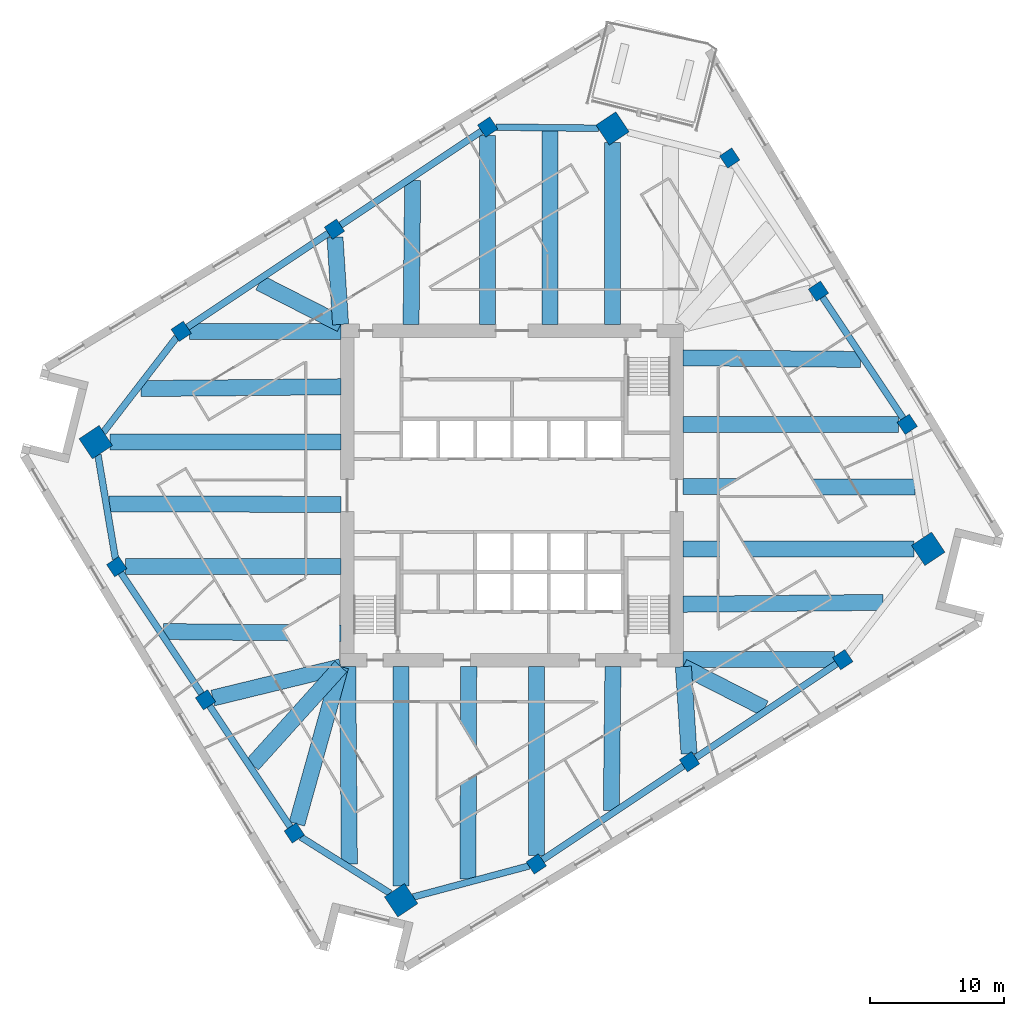
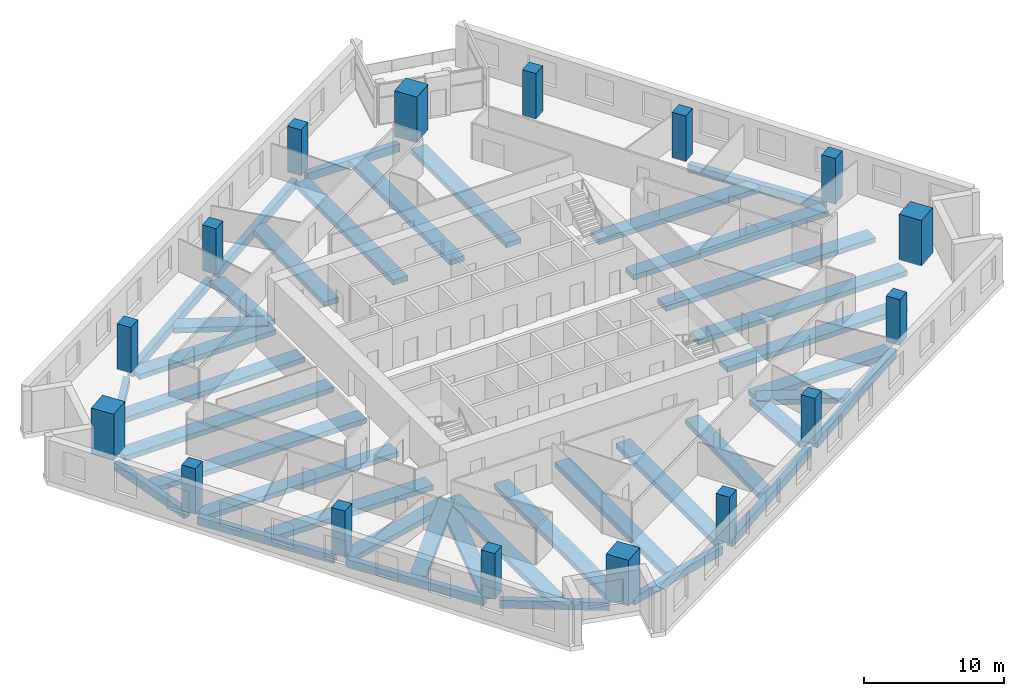
# One storey, part 1 of 14: 40 beams, 16 columns.
"""IFC4 building model written with IfcOpenShell, lengths in metres."""

from ifc_helpers import new_model, si_unit, direction, frame, origin, origin_2d, place, context, subcontext, project, spatial, rectangle, extrude, material, material_profile, profile_set, type_object, element, save


model = new_model("IFC4")

# Units and contexts
model_context = context("Model", 3, precision=1e-05, world=origin(), true_north=direction((0.0, 1.0)))
body_context = subcontext(model_context, "Body", "Model", "MODEL_VIEW")
ifc_project = project(units=[si_unit("LENGTHUNIT", "METRE"), si_unit("AREAUNIT", "SQUARE_METRE"), si_unit("VOLUMEUNIT", "CUBIC_METRE"), si_unit("PLANEANGLEUNIT", "RADIAN"), si_unit("MASSUNIT", "GRAM", prefix="KILO")], contexts=[model_context])

# Site, building, storey
site_placement = place(None, origin())
site = spatial("IfcSite", under=ifc_project, at=site_placement, CompositionType="ELEMENT")
building_placement = place(site_placement, origin())
building = spatial("IfcBuilding", under=site, at=building_placement, Name="Dilmun Exchange Tower", CompositionType="ELEMENT")
storey_placement = place(building_placement, frame((0.0, 0.0, 151.699951171875)))
storey = spatial("IfcBuildingStorey", under=building, at=storey_placement, Name="L35", CompositionType="ELEMENT", Elevation=151.699951171875)

# Columns
ifc_material_1 = material(Name="Concrete C60/75", Category="concrete")
ifc_material_profile_1 = material_profile(ifc_material_1, rectangle(XDim=1.800048828125, YDim=1.800048828125, at=origin_2d()), Name="1800 x 1800")
ifc_profile_set_1 = profile_set([ifc_material_profile_1], Name="Concrete C60/75")
column_type_1 = type_object("IfcColumnType", Name="RC mega column 1800 x 1800 C60/75", PredefinedType="COLUMN", material=ifc_profile_set_1)
for number, where, z_axis, x_axis, name in (
    (1, (7.506103515625, 27.409912109375, 0.0), (0.0, 0.0, 1.0), (0.832028680356, 0.55473261583, 0.0), "Mega column M1"),
    (2, (-31.0791015625, 3.98193359375, 0.0), (0.0, 0.0, 1.0), (0.832028680356, 0.55473261583, 0.0), "Mega column M2"),
    (3, (-8.27587890625, -30.220947265625, 0.0), (0.0, 0.0, 1.0), (0.832028680356, 0.55473261583, 0.0), "Mega column M3"),
    (4, (31.0791015625, -3.98193359375, 0.0), (0.0, 0.0, 1.0), (0.832028680356, 0.55473261583, 0.0), "Mega column M4"),
):
    element("IfcColumn", number, at=place(storey_placement, frame(where, z_axis=z_axis, x_axis=x_axis)), inside=storey, type_object=column_type_1, Name=name, PredefinedType="COLUMN", context=body_context, shape_type="SweptSolid", body=[
        extrude(rectangle(XDim=1.800048828125, YDim=1.800048828125, at=origin_2d()), origin(), (0.0, 0.0, 1.0), 4.0),
    ])
ifc_material_profile_2 = material_profile(ifc_material_1, rectangle(XDim=1.10009765625, YDim=1.10009765625, at=origin_2d()), Name="1100 x 1100")
ifc_profile_set_2 = profile_set([ifc_material_profile_2], Name="Concrete C60/75")
column_type_2 = type_object("IfcColumnType", Name="RC ring column 1100 x 1100 C60/75", PredefinedType="COLUMN", material=ifc_profile_set_2)
for number, where, z_axis, x_axis, name in (
    (5, (-1.818115234375, 27.512939453125, 0.0), (0.0, 0.0, 1.0), (0.832028680356, 0.55473261583, 0.0), "Ring column R01"),
    (6, (-13.258056640625, 19.885009765625, 0.0), (0.0, 0.0, 1.0), (0.832028680356, 0.55473261583, 0.0), "Ring column R02"),
    (7, (-24.698974609375, 12.258056640625, 0.0), (0.0, 0.0, 1.0), (0.832028680356, 0.55473261583, 0.0), "Ring column R03"),
    (8, (-29.510009765625, -5.31201171875, 0.0), (0.0, 0.0, 1.0), (0.832028680356, 0.55473261583, 0.0), "Ring column R04"),
    (9, (-22.881103515625, -15.2548828125, 0.0), (0.0, 0.0, 1.0), (0.832028680356, 0.55473261583, 0.0), "Ring column R05"),
    (10, (-16.251953125, -25.197998046875, 0.0), (0.0, 0.0, 1.0), (0.832028680356, 0.55473261583, 0.0), "Ring column R06"),
    (11, (1.818115234375, -27.512939453125, 0.0), (0.0, 0.0, 1.0), (0.832028680356, 0.55473261583, 0.0), "Ring column R07"),
    (12, (13.258056640625, -19.885009765625, 0.0), (0.0, 0.0, 1.0), (0.832028680356, 0.55473261583, 0.0), "Ring column R08"),
    (13, (24.698974609375, -12.258056640625, 0.0), (0.0, 0.0, 1.0), (0.832028680356, 0.55473261583, 0.0), "Ring column R09"),
    (14, (29.510009765625, 5.31201171875, 0.0), (0.0, 0.0, 1.0), (0.832028680356, 0.55473261583, 0.0), "Ring column R10"),
    (15, (22.881103515625, 15.2548828125, 0.0), (0.0, 0.0, 1.0), (0.832028680356, 0.55473261583, 0.0), "Ring column R11"),
    (16, (16.251953125, 25.197998046875, 0.0), (0.0, 0.0, 1.0), (0.832028680356, 0.55473261583, 0.0), "Ring column R12"),
):
    element("IfcColumn", number, at=place(storey_placement, frame(where, z_axis=z_axis, x_axis=x_axis)), inside=storey, type_object=column_type_2, Name=name, PredefinedType="COLUMN", context=body_context, shape_type="SweptSolid", body=[
        extrude(rectangle(XDim=1.10009765625, YDim=1.10009765625, at=origin_2d()), origin(), (0.0, 0.0, 1.0), 4.0),
    ])

# Beams
ifc_material_2 = material(Name="Concrete C40/50", Category="concrete")
ifc_material_profile_3 = material_profile(ifc_material_2, rectangle(XDim=1.199951171875, YDim=0.449951171875, at=origin_2d()), Name="1200 x 450")
ifc_profile_set_3 = profile_set([ifc_material_profile_3], Name="Concrete C40/50")
beam_type_1 = type_object("IfcBeamType", Name="RC band beam 1200 x 450 C40/50", PredefinedType="BEAM", material=ifc_profile_set_3)
beam_1_placement = place(storey_placement, frame((7.506103515625, 26.355224609375, -0.724853515625), z_axis=(0.0, -1.0, 0.0), x_axis=(1.0, 0.0, 0.0)))
element("IfcBeam", 17, at=beam_1_placement, inside=storey, type_object=beam_type_1, Name="Band beam 1", PredefinedType="BEAM", context=body_context, shape_type="SweptSolid", body=[
    extrude(rectangle(XDim=1.199951171875, YDim=0.449951171875, at=origin_2d()), origin(), (0.0, 0.0, 1.0), 13.582275390625),
])
beam_2_placement = place(storey_placement, frame((-1.818115234375, 26.87890625, -0.724853515625), z_axis=(0.0, -1.0, 0.0), x_axis=(1.0, 0.0, 0.0)))
element("IfcBeam", 18, at=beam_2_placement, inside=storey, type_object=beam_type_1, Name="Band beam 2", PredefinedType="BEAM", context=body_context, shape_type="SweptSolid", body=[
    extrude(rectangle(XDim=1.199951171875, YDim=0.449951171875, at=origin_2d()), origin(), (0.0, 0.0, 1.0), 14.10595703125),
])
beam_3_placement = place(storey_placement, frame((-13.21875, 19.2783203125, -0.724853515625), z_axis=(0.064492965824, -0.997918161654, 0.0), x_axis=(0.997918161654, 0.064492965824, 0.0)))
element("IfcBeam", 19, at=beam_3_placement, inside=storey, type_object=beam_type_1, Name="Band beam 3", PredefinedType="BEAM", context=body_context, shape_type="SweptSolid", body=[
    extrude(rectangle(XDim=1.199951171875, YDim=0.449951171875, at=origin_2d()), origin(), (0.0, 0.0, 1.0), 6.518798828125),
])
beam_4_placement = place(storey_placement, frame((-24.06494140625, 12.258056640625, -0.724853515625), z_axis=(1.0, 0.0, 0.0), x_axis=(0.0, 1.0, 0.0)))
element("IfcBeam", 20, at=beam_4_placement, inside=storey, type_object=beam_type_1, Name="Band beam 4", PredefinedType="BEAM", context=body_context, shape_type="SweptSolid", body=[
    extrude(rectangle(XDim=1.199951171875, YDim=0.449951171875, at=origin_2d()), origin(), (0.0, 0.0, 1.0), 11.2919921875),
])
beam_5_placement = place(storey_placement, frame((-30.0244140625, 3.98193359375, -0.724853515625), z_axis=(1.0, 0.0, 0.0), x_axis=(0.0, 1.0, 0.0)))
element("IfcBeam", 21, at=beam_5_placement, inside=storey, type_object=beam_type_1, Name="Band beam 5", PredefinedType="BEAM", context=body_context, shape_type="SweptSolid", body=[
    extrude(rectangle(XDim=1.199951171875, YDim=0.449951171875, at=origin_2d()), origin(), (0.0, 0.0, 1.0), 17.25146484375),
])
beam_6_placement = place(storey_placement, frame((-28.8759765625, -5.31201171875, -0.724853515625), z_axis=(1.0, 0.0, 0.0), x_axis=(0.0, 1.0, 0.0)))
element("IfcBeam", 22, at=beam_6_placement, inside=storey, type_object=beam_type_1, Name="Band beam 6", PredefinedType="BEAM", context=body_context, shape_type="SweptSolid", body=[
    extrude(rectangle(XDim=1.199951171875, YDim=0.449951171875, at=origin_2d()), origin(), (0.0, 0.0, 1.0), 16.10302734375),
])
beam_7_placement = place(storey_placement, frame((-22.33837890625, -15.122802734375, -0.724853515625), z_axis=(0.971607999859, 0.236596480554, 0.0), x_axis=(-0.236596480554, 0.971607999859, 0.0)))
element("IfcBeam", 23, at=beam_7_placement, inside=storey, type_object=beam_type_1, Name="Band beam 7", PredefinedType="BEAM", context=body_context, shape_type="SweptSolid", body=[
    extrude(rectangle(XDim=1.199951171875, YDim=0.449951171875, at=origin_2d()), origin(), (0.0, 0.0, 1.0), 9.84423828125),
])
beam_8_placement = place(storey_placement, frame((-16.064453125, -24.524658203125, -0.724853515625), z_axis=(0.268225004284, 0.963356292904, 0.0), x_axis=(-0.963356292904, 0.268225004284, 0.0)))
element("IfcBeam", 24, at=beam_8_placement, inside=storey, type_object=beam_type_1, Name="Band beam 8", PredefinedType="BEAM", context=body_context, shape_type="SweptSolid", body=[
    extrude(rectangle(XDim=1.199951171875, YDim=0.449951171875, at=origin_2d()), origin(), (0.0, 0.0, 1.0), 12.19775390625),
])
beam_9_placement = place(storey_placement, frame((-8.27587890625, -29.166259765625, -0.724853515625), z_axis=(0.0, 1.0, 0.0), x_axis=(-1.0, 0.0, 0.0)))
element("IfcBeam", 25, at=beam_9_placement, inside=storey, type_object=beam_type_1, Name="Band beam 9", PredefinedType="BEAM", context=body_context, shape_type="SweptSolid", body=[
    extrude(rectangle(XDim=1.199951171875, YDim=0.449951171875, at=origin_2d()), origin(), (0.0, 0.0, 1.0), 16.393310546875),
])
beam_10_placement = place(storey_placement, frame((1.818115234375, -26.87890625, -0.724853515625), z_axis=(0.0, 1.0, 0.0), x_axis=(-1.0, 0.0, 0.0)))
element("IfcBeam", 26, at=beam_10_placement, inside=storey, type_object=beam_type_1, Name="Band beam 10", PredefinedType="BEAM", context=body_context, shape_type="SweptSolid", body=[
    extrude(rectangle(XDim=1.199951171875, YDim=0.449951171875, at=origin_2d()), origin(), (0.0, 0.0, 1.0), 14.10595703125),
])
beam_11_placement = place(storey_placement, frame((13.21875, -19.2783203125, -0.724853515625), z_axis=(-0.064492965824, 0.997918161654, 0.0), x_axis=(-0.997918161654, -0.064492965824, 0.0)))
element("IfcBeam", 27, at=beam_11_placement, inside=storey, type_object=beam_type_1, Name="Band beam 11", PredefinedType="BEAM", context=body_context, shape_type="SweptSolid", body=[
    extrude(rectangle(XDim=1.199951171875, YDim=0.449951171875, at=origin_2d()), origin(), (0.0, 0.0, 1.0), 6.518798828125),
])
beam_12_placement = place(storey_placement, frame((24.06494140625, -12.258056640625, -0.724853515625), z_axis=(-1.0, 0.0, 0.0), x_axis=(0.0, -1.0, 0.0)))
element("IfcBeam", 28, at=beam_12_placement, inside=storey, type_object=beam_type_1, Name="Band beam 12", PredefinedType="BEAM", context=body_context, shape_type="SweptSolid", body=[
    extrude(rectangle(XDim=1.199951171875, YDim=0.449951171875, at=origin_2d()), origin(), (0.0, 0.0, 1.0), 11.2919921875),
])
beam_13_placement = place(storey_placement, frame((30.0244140625, -3.98193359375, -0.724853515625), z_axis=(-1.0, 0.0, 0.0), x_axis=(0.0, -1.0, 0.0)))
element("IfcBeam", 29, at=beam_13_placement, inside=storey, type_object=beam_type_1, Name="Band beam 13", PredefinedType="BEAM", context=body_context, shape_type="SweptSolid", body=[
    extrude(rectangle(XDim=1.199951171875, YDim=0.449951171875, at=origin_2d()), origin(), (0.0, 0.0, 1.0), 17.25146484375),
])
beam_14_placement = place(storey_placement, frame((28.8759765625, 5.31201171875, -0.724853515625), z_axis=(-1.0, 0.0, 0.0), x_axis=(0.0, -1.0, 0.0)))
element("IfcBeam", 30, at=beam_14_placement, inside=storey, type_object=beam_type_1, Name="Band beam 14", PredefinedType="BEAM", context=body_context, shape_type="SweptSolid", body=[
    extrude(rectangle(XDim=1.199951171875, YDim=0.449951171875, at=origin_2d()), origin(), (0.0, 0.0, 1.0), 16.10302734375),
])
beam_15_placement = place(storey_placement, frame((2.841552734375, 27.238525390625, -0.625), z_axis=(0.00016877352, -0.999999985758, 0.0), x_axis=(0.999999985758, 0.00016877352, 0.0)))
element("IfcBeam", 31, at=beam_15_placement, inside=storey, type_object=beam_type_1, Name="Band beam 17", PredefinedType="BEAM", context=body_context, shape_type="SweptSolid", body=[
    extrude(rectangle(XDim=1.199951171875, YDim=0.449951171875, at=origin_2d()), origin(), (0.0, 0.0, 1.0), 14.465576171875),
])
beam_16_placement = place(storey_placement, frame((-7.414306640625, 23.513427734375, -0.625), z_axis=(-0.011523795482, -0.999933598864, 0.0), x_axis=(0.999933598864, -0.011523795482, 0.0)))
element("IfcBeam", 32, at=beam_16_placement, inside=storey, type_object=beam_type_1, Name="Band beam 18", PredefinedType="BEAM", context=body_context, shape_type="SweptSolid", body=[
    extrude(rectangle(XDim=1.199951171875, YDim=0.449951171875, at=origin_2d()), origin(), (0.0, 0.0, 1.0), 10.7412109375),
])
beam_17_placement = place(storey_placement, frame((-18.854736328125, 15.885986328125, -0.625), z_axis=(0.890922045004, -0.454156261354, 0.0), x_axis=(0.454156261354, 0.890922045004, 0.0)))
element("IfcBeam", 33, at=beam_17_placement, inside=storey, type_object=beam_type_1, Name="Band beam 19", PredefinedType="BEAM", context=body_context, shape_type="SweptSolid", body=[
    extrude(rectangle(XDim=1.199951171875, YDim=0.449951171875, at=origin_2d()), origin(), (0.0, 0.0, 1.0), 6.82275390625),
])
beam_18_placement = place(storey_placement, frame((-27.71240234375, 7.98388671875, -0.625), z_axis=(0.99995842598, 0.009118459957, 0.0), x_axis=(-0.009118459957, 0.99995842598, 0.0)))
element("IfcBeam", 34, at=beam_18_placement, inside=storey, type_object=beam_type_1, Name="Band beam 20", PredefinedType="BEAM", context=body_context, shape_type="SweptSolid", body=[
    extrude(rectangle(XDim=1.199951171875, YDim=0.449951171875, at=origin_2d()), origin(), (0.0, 0.0, 1.0), 14.940185546875),
])
beam_19_placement = place(storey_placement, frame((-30.07470703125, -0.6279296875, -0.625), z_axis=(0.999997699854, -0.002144827713, 0.0), x_axis=(0.002144827713, 0.999997699854, 0.0)))
element("IfcBeam", 35, at=beam_19_placement, inside=storey, type_object=beam_type_1, Name="Band beam 21", PredefinedType="BEAM", context=body_context, shape_type="SweptSolid", body=[
    extrude(rectangle(XDim=1.199951171875, YDim=0.449951171875, at=origin_2d()), origin(), (0.0, 0.0, 1.0), 17.3017578125),
])
beam_20_placement = place(storey_placement, frame((-26.010009765625, -10.159912109375, -0.625), z_axis=(0.999956454863, -0.009332115424, 0.0), x_axis=(0.009332115424, 0.999956454863, 0.0)))
element("IfcBeam", 36, at=beam_20_placement, inside=storey, type_object=beam_type_1, Name="Band beam 22", PredefinedType="BEAM", context=body_context, shape_type="SweptSolid", body=[
    extrude(rectangle(XDim=1.199951171875, YDim=0.449951171875, at=origin_2d()), origin(), (0.0, 0.0, 1.0), 13.237548828125),
])
beam_21_placement = place(storey_placement, frame((-19.381103515625, -20.102783203125, -0.625), z_axis=(0.669462647611, 0.742845719819, 0.0), x_axis=(-0.742845719819, 0.669462647611, 0.0)))
element("IfcBeam", 37, at=beam_21_placement, inside=storey, type_object=beam_type_1, Name="Band beam 23", PredefinedType="BEAM", context=body_context, shape_type="SweptSolid", body=[
    extrude(rectangle(XDim=1.199951171875, YDim=0.449951171875, at=origin_2d()), origin(), (0.0, 0.0, 1.0), 9.857666015625),
])
beam_22_placement = place(storey_placement, frame((-12.145263671875, -27.520751953125, -0.625), z_axis=(-0.008045164826, 0.999967637138, 0.0), x_axis=(-0.999967637138, -0.008045164826, 0.0)))
element("IfcBeam", 38, at=beam_22_placement, inside=storey, type_object=beam_type_1, Name="Band beam 24", PredefinedType="BEAM", context=body_context, shape_type="SweptSolid", body=[
    extrude(rectangle(XDim=1.199951171875, YDim=0.449951171875, at=origin_2d()), origin(), (0.0, 0.0, 1.0), 14.748291015625),
])
beam_23_placement = place(storey_placement, frame((-3.286865234375, -28.651611328125, -0.625), z_axis=(0.003643943273, 0.999993360817, 0.0), x_axis=(-0.999993360817, 0.003643943273, 0.0)))
element("IfcBeam", 39, at=beam_23_placement, inside=storey, type_object=beam_type_1, Name="Band beam 25", PredefinedType="BEAM", context=body_context, shape_type="SweptSolid", body=[
    extrude(rectangle(XDim=1.199951171875, YDim=0.449951171875, at=origin_2d()), origin(), (0.0, 0.0, 1.0), 15.878662109375),
])
beam_24_placement = place(storey_placement, frame((7.414306640625, -23.513427734375, -0.625), z_axis=(0.011523795482, 0.999933598864, 0.0), x_axis=(-0.999933598864, 0.011523795482, 0.0)))
element("IfcBeam", 40, at=beam_24_placement, inside=storey, type_object=beam_type_1, Name="Band beam 26", PredefinedType="BEAM", context=body_context, shape_type="SweptSolid", body=[
    extrude(rectangle(XDim=1.199951171875, YDim=0.449951171875, at=origin_2d()), origin(), (0.0, 0.0, 1.0), 10.7412109375),
])
beam_25_placement = place(storey_placement, frame((18.854736328125, -15.885986328125, -0.625), z_axis=(-0.890922045004, 0.454156261354, 0.0), x_axis=(-0.454156261354, -0.890922045004, 0.0)))
element("IfcBeam", 41, at=beam_25_placement, inside=storey, type_object=beam_type_1, Name="Band beam 27", PredefinedType="BEAM", context=body_context, shape_type="SweptSolid", body=[
    extrude(rectangle(XDim=1.199951171875, YDim=0.449951171875, at=origin_2d()), origin(), (0.0, 0.0, 1.0), 6.82275390625),
])
beam_26_placement = place(storey_placement, frame((27.71240234375, -7.98388671875, -0.625), z_axis=(-0.99995842598, -0.009118459957, 0.0), x_axis=(0.009118459957, -0.99995842598, 0.0)))
element("IfcBeam", 42, at=beam_26_placement, inside=storey, type_object=beam_type_1, Name="Band beam 28", PredefinedType="BEAM", context=body_context, shape_type="SweptSolid", body=[
    extrude(rectangle(XDim=1.199951171875, YDim=0.449951171875, at=origin_2d()), origin(), (0.0, 0.0, 1.0), 14.940185546875),
])
beam_27_placement = place(storey_placement, frame((30.07470703125, 0.6279296875, -0.625), z_axis=(-0.999997699854, 0.002144827713, 0.0), x_axis=(-0.002144827713, -0.999997699854, 0.0)))
element("IfcBeam", 43, at=beam_27_placement, inside=storey, type_object=beam_type_1, Name="Band beam 29", PredefinedType="BEAM", context=body_context, shape_type="SweptSolid", body=[
    extrude(rectangle(XDim=1.199951171875, YDim=0.449951171875, at=origin_2d()), origin(), (0.0, 0.0, 1.0), 17.3017578125),
])
beam_28_placement = place(storey_placement, frame((26.010009765625, 10.159912109375, -0.625), z_axis=(-0.999956454863, 0.009332115424, 0.0), x_axis=(-0.009332115424, -0.999956454863, 0.0)))
element("IfcBeam", 44, at=beam_28_placement, inside=storey, type_object=beam_type_1, Name="Band beam 30", PredefinedType="BEAM", context=body_context, shape_type="SweptSolid", body=[
    extrude(rectangle(XDim=1.199951171875, YDim=0.449951171875, at=origin_2d()), origin(), (0.0, 0.0, 1.0), 13.237548828125),
])
ifc_material_profile_4 = material_profile(ifc_material_2, rectangle(XDim=0.5, YDim=0.699951171875, at=origin_2d()), Name="500 x 700")
ifc_profile_set_4 = profile_set([ifc_material_profile_4], Name="Concrete C40/50")
beam_type_2 = type_object("IfcBeamType", Name="RC ring beam 500 x 700 C40/50", PredefinedType="SPANDREL", material=ifc_profile_set_4)
beam_29_placement = place(storey_placement, frame((6.443359375, 27.421630859375, -0.75), z_axis=(-0.999938955437, 0.011049226175, 0.0), x_axis=(-0.011049226175, -0.999938955437, 0.0)))
element("IfcBeam", 45, at=beam_29_placement, inside=storey, type_object=beam_type_2, Name="Ring beam 1", PredefinedType="SPANDREL", context=body_context, shape_type="SweptSolid", body=[
    extrude(rectangle(XDim=0.5, YDim=0.699951171875, at=origin_2d()), origin(), (0.0, 0.0, 1.0), 7.623046875),
])
beam_30_placement = place(storey_placement, frame((-2.253173828125, 27.222900390625, -0.75), z_axis=(-0.832002986666, -0.554771151177, 0.0), x_axis=(0.554771151177, -0.832002986666, 0.0)))
element("IfcBeam", 46, at=beam_30_placement, inside=storey, type_object=beam_type_2, Name="Ring beam 2", PredefinedType="SPANDREL", context=body_context, shape_type="SweptSolid", body=[
    extrude(rectangle(XDim=0.5, YDim=0.699951171875, at=origin_2d()), origin(), (0.0, 0.0, 1.0), 12.7041015625),
])
beam_31_placement = place(storey_placement, frame((-13.693115234375, 19.594970703125, -0.75), z_axis=(-0.832062120058, -0.554682457235, 0.0), x_axis=(0.554682457235, -0.832062120058, 0.0)))
element("IfcBeam", 47, at=beam_31_placement, inside=storey, type_object=beam_type_2, Name="Ring beam 3", PredefinedType="SPANDREL", context=body_context, shape_type="SweptSolid", body=[
    extrude(rectangle(XDim=0.5, YDim=0.699951171875, at=origin_2d()), origin(), (0.0, 0.0, 1.0), 12.704345703125),
])
beam_32_placement = place(storey_placement, frame((-25.037109375, 11.819580078125, -0.75), z_axis=(-0.610521727247, -0.791999507929, 0.0), x_axis=(0.791999507929, -0.610521727247, 0.0)))
element("IfcBeam", 48, at=beam_32_placement, inside=storey, type_object=beam_type_2, Name="Ring beam 4", PredefinedType="SPANDREL", context=body_context, shape_type="SweptSolid", body=[
    extrude(rectangle(XDim=0.5, YDim=0.699951171875, at=origin_2d()), origin(), (0.0, 0.0, 1.0), 8.97314453125),
])
beam_33_placement = place(storey_placement, frame((-30.91943359375, 3.036376953125, -0.75), z_axis=(0.166485785433, -0.986043854628, 0.0), x_axis=(0.986043854628, 0.166485785433, 0.0)))
element("IfcBeam", 49, at=beam_33_placement, inside=storey, type_object=beam_type_2, Name="Ring beam 5", PredefinedType="SPANDREL", context=body_context, shape_type="SweptSolid", body=[
    extrude(rectangle(XDim=0.5, YDim=0.699951171875, at=origin_2d()), origin(), (0.0, 0.0, 1.0), 7.890869140625),
])
for number, where, z_axis, x_axis, name in (
    (50, (-29.219970703125, -5.747314453125, -0.75), (0.554731197186, -0.832029626196, 0.0), (0.832029626196, 0.554731197186, 0.0), "Ring beam 6"),
    (51, (-22.5908203125, -15.690185546875, -0.75), (0.554731197186, -0.832029626196, 0.0), (0.832029626196, 0.554731197186, 0.0), "Ring beam 7"),
):
    element("IfcBeam", number, at=place(storey_placement, frame(where, z_axis=z_axis, x_axis=x_axis)), inside=storey, type_object=beam_type_2, Name=name, PredefinedType="SPANDREL", context=body_context, shape_type="SweptSolid", body=[
        extrude(rectangle(XDim=0.5, YDim=0.699951171875, at=origin_2d()), origin(), (0.0, 0.0, 1.0), 10.904052734375),
    ])
beam_34_placement = place(storey_placement, frame((-15.764892578125, -25.504638671875, -0.75), z_axis=(0.846177038183, -0.532901885953, 0.0), x_axis=(0.532901885953, 0.846177038183, 0.0)))
element("IfcBeam", 52, at=beam_34_placement, inside=storey, type_object=beam_type_2, Name="Ring beam 8", PredefinedType="SPANDREL", context=body_context, shape_type="SweptSolid", body=[
    extrude(rectangle(XDim=0.5, YDim=0.699951171875, at=origin_2d()), origin(), (0.0, 0.0, 1.0), 7.891357421875),
])
beam_35_placement = place(storey_placement, frame((-7.384521484375, -29.981689453125, -0.75), z_axis=(0.965850974034, 0.259098236113, 0.0), x_axis=(-0.259098236113, 0.965850974034, 0.0)))
element("IfcBeam", 53, at=beam_35_placement, inside=storey, type_object=beam_type_2, Name="Ring beam 9", PredefinedType="SPANDREL", context=body_context, shape_type="SweptSolid", body=[
    extrude(rectangle(XDim=0.5, YDim=0.699951171875, at=origin_2d()), origin(), (0.0, 0.0, 1.0), 8.97412109375),
])
beam_36_placement = place(storey_placement, frame((2.253173828125, -27.222900390625, -0.75), z_axis=(0.832002986666, 0.554771151177, 0.0), x_axis=(-0.554771151177, 0.832002986666, 0.0)))
element("IfcBeam", 54, at=beam_36_placement, inside=storey, type_object=beam_type_2, Name="Ring beam 10", PredefinedType="SPANDREL", context=body_context, shape_type="SweptSolid", body=[
    extrude(rectangle(XDim=0.5, YDim=0.699951171875, at=origin_2d()), origin(), (0.0, 0.0, 1.0), 12.7041015625),
])
beam_37_placement = place(storey_placement, frame((13.693115234375, -19.594970703125, -0.75), z_axis=(0.832062120058, 0.554682457235, 0.0), x_axis=(-0.554682457235, 0.832062120058, 0.0)))
element("IfcBeam", 55, at=beam_37_placement, inside=storey, type_object=beam_type_2, Name="Ring beam 11", PredefinedType="SPANDREL", context=body_context, shape_type="SweptSolid", body=[
    extrude(rectangle(XDim=0.5, YDim=0.699951171875, at=origin_2d()), origin(), (0.0, 0.0, 1.0), 12.704345703125),
])
beam_38_placement = place(storey_placement, frame((29.219970703125, 5.747314453125, -0.75), z_axis=(-0.554731197186, 0.832029626196, 0.0), x_axis=(-0.832029626196, -0.554731197186, 0.0)))
element("IfcBeam", 56, at=beam_38_placement, inside=storey, type_object=beam_type_2, Name="Ring beam 14", PredefinedType="SPANDREL", context=body_context, shape_type="SweptSolid", body=[
    extrude(rectangle(XDim=0.5, YDim=0.699951171875, at=origin_2d()), origin(), (0.0, 0.0, 1.0), 10.904052734375),
])

save(model, "model.ifc")
